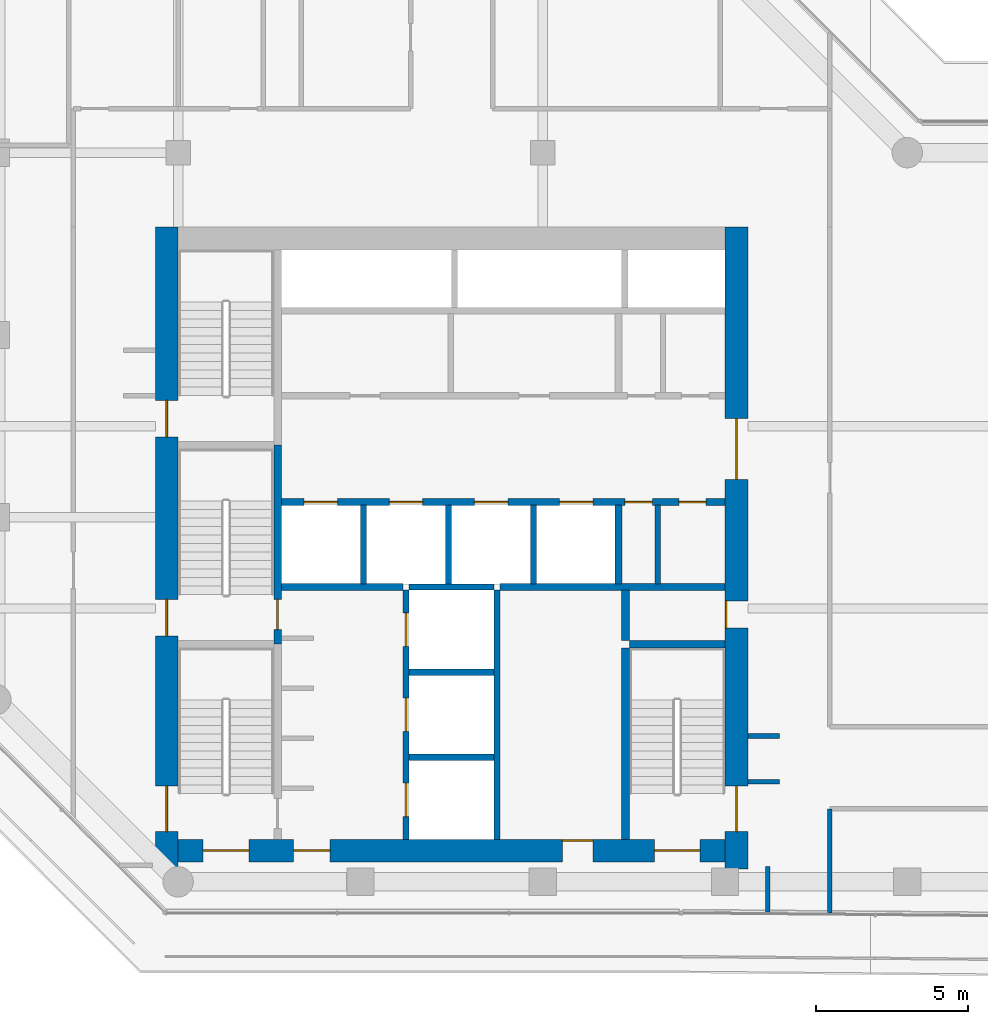
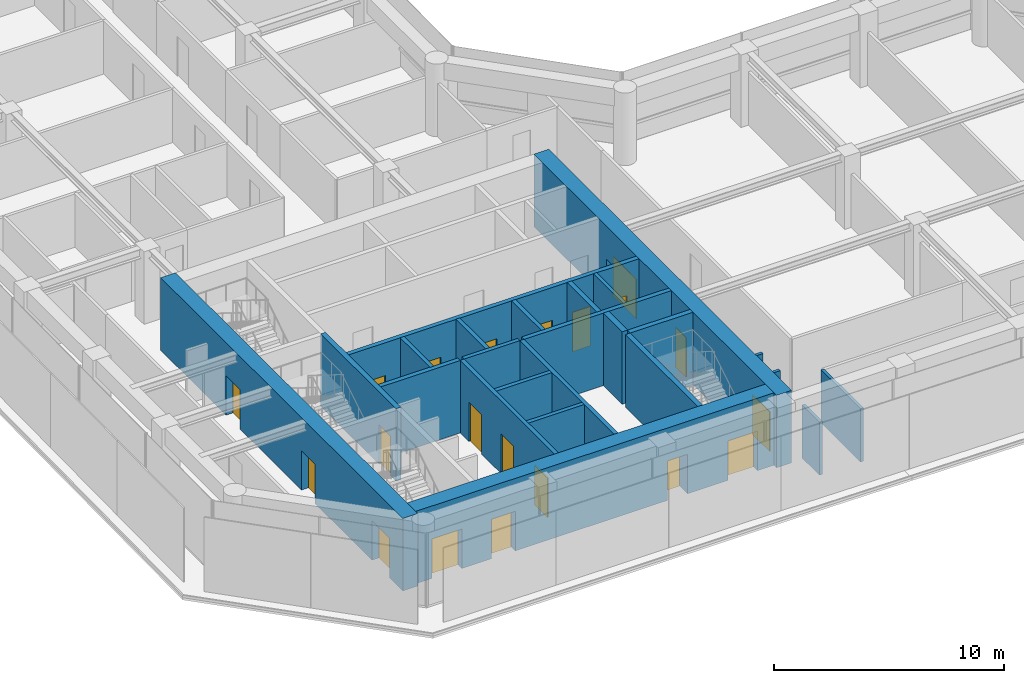
# One storey, part 18 of 23: 24 walls, 20 doors, 20 openings.
"""IFC4 building model written with IfcOpenShell, lengths in metres."""

from ifc_helpers import new_model, si_unit, direction, frame, frame_2d, origin, place, context, subcontext, project, spatial, rectangle, extrude, material, layer, layer_set, type_object, element, fill, save


model = new_model("IFC4")

# Units and contexts
model_context = context("Model", 3, precision=1e-05, world=origin(), true_north=direction((0.0, 1.0)))
body_context = subcontext(model_context, "Body", "Model", "MODEL_VIEW")
ifc_project = project(units=[si_unit("LENGTHUNIT", "METRE"), si_unit("AREAUNIT", "SQUARE_METRE"), si_unit("VOLUMEUNIT", "CUBIC_METRE"), si_unit("PLANEANGLEUNIT", "RADIAN"), si_unit("MASSUNIT", "GRAM", prefix="KILO")], contexts=[model_context])

# Site, building, storey
site_placement = place(None, origin())
site = spatial("IfcSite", under=ifc_project, at=site_placement, CompositionType="ELEMENT")
building_placement = place(site_placement, origin())
building = spatial("IfcBuilding", under=site, at=building_placement, Name="Welwitschia Terrace Campus", CompositionType="ELEMENT")
storey_placement = place(building_placement, frame((0.0, 0.0, 113.0)))
storey = spatial("IfcBuildingStorey", under=building, at=storey_placement, Name="L25", CompositionType="ELEMENT", Elevation=113.0)

# Walls
ifc_material_1 = material(Name="Concrete C32/40", Category="concrete")
ifc_layer_1 = layer(ifc_material_1, 0.175048828125)
ifc_layer_set_1 = layer_set([ifc_layer_1], Name="Concrete C32/40")
wall_type_1 = type_object("IfcWallType", Name="Core partition 175 Concrete C32/40", PredefinedType="PARTITIONING", material=ifc_layer_set_1)
wall_1_placement = place(storey_placement, frame((21.7900390625, 13.800048828125, 0.0), z_axis=(0.0, 0.0, 1.0), x_axis=(0.0, 1.0, 0.0)))
element("IfcWall", 1, at=wall_1_placement, inside=storey, type_object=wall_type_1, Name="Core partition", PredefinedType="PARTITIONING", context=body_context, shape_type="SweptSolid", body=[
    extrude(rectangle(XDim=2.599853515625, YDim=0.175048828125, at=frame_2d((1.2998046875, 0.0))), origin(), (0.0, 0.0, 1.0), 3.85009765625),
])
ifc_material_2 = material(Name="Concrete C32/40", Category="concrete")
ifc_layer_2 = layer(ifc_material_2, 0.22509765625)
ifc_layer_set_2 = layer_set([ifc_layer_2], Name="Concrete C32/40")
wall_type_2 = type_object("IfcWallType", Name="Core partition 225 Concrete C32/40", PredefinedType="PARTITIONING", material=ifc_layer_set_2)
wall_2_placement = place(storey_placement, frame((9.39990234375, 13.699951171875, 0.0), z_axis=(0.0, 0.0, 1.0), x_axis=(1.0, 0.0, 0.0)))
element("IfcWall", 2, at=wall_2_placement, inside=storey, type_object=wall_type_2, Name="Shaft wall", PredefinedType="PARTITIONING", context=body_context, shape_type="SweptSolid", body=[
    extrude(rectangle(XDim=4.0, YDim=0.22509765625, at=frame_2d((2.0, 0.0))), origin(), (0.0, 0.0, 1.0), 3.85009765625),
])
wall_3_placement = place(storey_placement, frame((16.60009765625, 13.699951171875, 0.0), z_axis=(0.0, 0.0, 1.0), x_axis=(1.0, 0.0, 0.0)))
element("IfcWall", 3, at=wall_3_placement, inside=storey, type_object=wall_type_2, Name="Shaft wall", PredefinedType="PARTITIONING", context=body_context, shape_type="SweptSolid", body=[
    extrude(rectangle(XDim=7.39990234375, YDim=0.22509765625, at=frame_2d((3.699951171875, 0.0))), origin(), (0.0, 0.0, 1.0), 3.85009765625),
])

# Wall, openings, doors
wall_4_placement = place(storey_placement, frame((9.39990234375, 16.5, 0.0), z_axis=(0.0, 0.0, 1.0), x_axis=(1.0, 0.0, 0.0)))
wall_4 = element("IfcWall", 4, at=wall_4_placement, inside=storey, type_object=wall_type_2, Name="Shaft wall", PredefinedType="PARTITIONING", context=body_context, shape_type="SweptSolid", body=[
    extrude(rectangle(XDim=14.60009765625, YDim=0.22509765625, at=frame_2d((7.300048828125, 0.0))), origin(), (0.0, 0.0, 1.0), 3.85009765625),
])
opening_1_placement = place(wall_4_placement, frame((0.75, 0.0, 0.0)))
opening_1 = element("IfcOpeningElement", 5, at=opening_1_placement, cuts=wall_4, Name="Opening LD", PredefinedType="OPENING", context=body_context, shape_type="SweptSolid", body=[
    extrude(rectangle(XDim=1.10009765625, YDim=2.10009765625, at=frame_2d((0.550048828125, 1.050048828125))), frame((0.0, 0.12255859375, 0.0), z_axis=(0.0, -1.0, 0.0), x_axis=(1.0, 0.0, 0.0)), (0.0, 0.0, 1.0), 0.2451171875),
])
opening_2_placement = place(wall_4_placement, frame((3.550048828125, 0.0, 0.0)))
opening_2 = element("IfcOpeningElement", 6, at=opening_2_placement, cuts=wall_4, Name="Opening LD", PredefinedType="OPENING", context=body_context, shape_type="SweptSolid", body=[
    extrude(rectangle(XDim=1.10009765625, YDim=2.10009765625, at=frame_2d((0.550048828125, 1.050048828125))), frame((0.0, 0.12255859375, 0.0), z_axis=(0.0, -1.0, 0.0), x_axis=(1.0, 0.0, 0.0)), (0.0, 0.0, 1.0), 0.2451171875),
])
opening_3_placement = place(wall_4_placement, frame((6.35009765625, 0.0, 0.0)))
opening_3 = element("IfcOpeningElement", 7, at=opening_3_placement, cuts=wall_4, Name="Opening LD", PredefinedType="OPENING", context=body_context, shape_type="SweptSolid", body=[
    extrude(rectangle(XDim=1.10009765625, YDim=2.10009765625, at=frame_2d((0.550048828125, 1.050048828125))), frame((0.0, 0.12255859375, 0.0), z_axis=(0.0, -1.0, 0.0), x_axis=(1.0, 0.0, 0.0)), (0.0, 0.0, 1.0), 0.2451171875),
])
opening_4_placement = place(wall_4_placement, frame((9.14990234375, 0.0, 0.0)))
opening_4 = element("IfcOpeningElement", 8, at=opening_4_placement, cuts=wall_4, Name="Opening LD", PredefinedType="OPENING", context=body_context, shape_type="SweptSolid", body=[
    extrude(rectangle(XDim=1.10009765625, YDim=2.10009765625, at=frame_2d((0.550048828125, 1.050048828125))), frame((0.0, 0.12255859375, 0.0), z_axis=(0.0, -1.0, 0.0), x_axis=(1.0, 0.0, 0.0)), (0.0, 0.0, 1.0), 0.2451171875),
])
opening_5_placement = place(wall_4_placement, frame((11.3076171875, 0.0, 0.0)))
opening_5 = element("IfcOpeningElement", 9, at=opening_5_placement, cuts=wall_4, Name="Opening DR09", PredefinedType="OPENING", context=body_context, shape_type="SweptSolid", body=[
    extrude(rectangle(XDim=0.89990234375, YDim=2.10009765625, at=frame_2d((0.449951171875, 1.050048828125))), frame((0.0, 0.12255859375, 0.0), z_axis=(0.0, -1.0, 0.0), x_axis=(1.0, 0.0, 0.0)), (0.0, 0.0, 1.0), 0.2451171875),
])
opening_6_placement = place(wall_4_placement, frame((13.08251953125, 0.0, 0.0)))
opening_6 = element("IfcOpeningElement", 10, at=opening_6_placement, cuts=wall_4, Name="Opening DR09", PredefinedType="OPENING", context=body_context, shape_type="SweptSolid", body=[
    extrude(rectangle(XDim=0.89990234375, YDim=2.10009765625, at=frame_2d((0.449951171875, 1.050048828125))), frame((0.0, 0.12255859375, 0.0), z_axis=(0.0, -1.0, 0.0), x_axis=(1.0, 0.0, 0.0)), (0.0, 0.0, 1.0), 0.2451171875),
])
ifc_material_3 = material(Name="Steel S275", Category="steel")
door_type_1 = type_object("IfcDoorType", Name="Core door DR09", OperationType="SINGLE_SWING_LEFT", PredefinedType="DOOR", material=ifc_material_3)
door_1_placement = place(opening_5_placement, origin())
door_1 = element("IfcDoor", 11, at=door_1_placement, inside=storey, type_object=door_type_1, Name="Door EL1-D", OperationType="SINGLE_SWING_RIGHT", OverallHeight=2.10009765625, OverallWidth=0.89990234375, PredefinedType="DOOR", context=body_context, shape_type="SweptSolid", body=[
    extrude(rectangle(XDim=0.89990234375, YDim=2.10009765625, at=frame_2d((0.449951171875, 1.050048828125))), frame((0.0, 0.02490234375, 0.0), z_axis=(0.0, -1.0, 0.0), x_axis=(1.0, 0.0, 0.0)), (0.0, 0.0, 1.0), 0.050048828125),
])
fill(opening_5, door_1)
door_2_placement = place(opening_6_placement, origin())
door_2 = element("IfcDoor", 12, at=door_2_placement, inside=storey, type_object=door_type_1, Name="Door EL2-D", OperationType="SINGLE_SWING_RIGHT", OverallHeight=2.10009765625, OverallWidth=0.89990234375, PredefinedType="DOOR", context=body_context, shape_type="SweptSolid", body=[
    extrude(rectangle(XDim=0.89990234375, YDim=2.10009765625, at=frame_2d((0.449951171875, 1.050048828125))), frame((0.0, 0.02490234375, 0.0), z_axis=(0.0, -1.0, 0.0), x_axis=(1.0, 0.0, 0.0)), (0.0, 0.0, 1.0), 0.050048828125),
])
fill(opening_6, door_2)
ifc_material_4 = material(Name="Stainless steel 304", Category="steel")
door_type_2 = type_object("IfcDoorType", Name="Lift landing door", OperationType="DOUBLE_DOOR_SLIDING", PredefinedType="DOOR", material=ifc_material_4)
door_3_placement = place(opening_1_placement, origin())
door_3 = element("IfcDoor", 13, at=door_3_placement, inside=storey, type_object=door_type_2, Name="Landing door LR1", OperationType="DOUBLE_DOOR_SLIDING", OverallHeight=2.10009765625, OverallWidth=1.10009765625, PredefinedType="DOOR", context=body_context, shape_type="SweptSolid", body=[
    extrude(rectangle(XDim=1.10009765625, YDim=2.10009765625, at=frame_2d((0.550048828125, 1.050048828125))), frame((0.0, 0.02490234375, 0.0), z_axis=(0.0, -1.0, 0.0), x_axis=(1.0, 0.0, 0.0)), (0.0, 0.0, 1.0), 0.050048828125),
])
fill(opening_1, door_3)
door_4_placement = place(opening_2_placement, origin())
door_4 = element("IfcDoor", 14, at=door_4_placement, inside=storey, type_object=door_type_2, Name="Landing door LR2", OperationType="DOUBLE_DOOR_SLIDING", OverallHeight=2.10009765625, OverallWidth=1.10009765625, PredefinedType="DOOR", context=body_context, shape_type="SweptSolid", body=[
    extrude(rectangle(XDim=1.10009765625, YDim=2.10009765625, at=frame_2d((0.550048828125, 1.050048828125))), frame((0.0, 0.02490234375, 0.0), z_axis=(0.0, -1.0, 0.0), x_axis=(1.0, 0.0, 0.0)), (0.0, 0.0, 1.0), 0.050048828125),
])
fill(opening_2, door_4)
door_5_placement = place(opening_3_placement, origin())
door_5 = element("IfcDoor", 15, at=door_5_placement, inside=storey, type_object=door_type_2, Name="Landing door LR3", OperationType="DOUBLE_DOOR_SLIDING", OverallHeight=2.10009765625, OverallWidth=1.10009765625, PredefinedType="DOOR", context=body_context, shape_type="SweptSolid", body=[
    extrude(rectangle(XDim=1.10009765625, YDim=2.10009765625, at=frame_2d((0.550048828125, 1.050048828125))), frame((0.0, 0.02490234375, 0.0), z_axis=(0.0, -1.0, 0.0), x_axis=(1.0, 0.0, 0.0)), (0.0, 0.0, 1.0), 0.050048828125),
])
fill(opening_3, door_5)
door_6_placement = place(opening_4_placement, origin())
door_6 = element("IfcDoor", 16, at=door_6_placement, inside=storey, type_object=door_type_2, Name="Landing door LR4", OperationType="DOUBLE_DOOR_SLIDING", OverallHeight=2.10009765625, OverallWidth=1.10009765625, PredefinedType="DOOR", context=body_context, shape_type="SweptSolid", body=[
    extrude(rectangle(XDim=1.10009765625, YDim=2.10009765625, at=frame_2d((0.550048828125, 1.050048828125))), frame((0.0, 0.02490234375, 0.0), z_axis=(0.0, -1.0, 0.0), x_axis=(1.0, 0.0, 0.0)), (0.0, 0.0, 1.0), 0.050048828125),
])
fill(opening_4, door_6)

# Walls
wall_5_placement = place(storey_placement, frame((20.5, 13.800048828125, 0.0), z_axis=(0.0, 0.0, 1.0), x_axis=(0.0, 1.0, 0.0)))
element("IfcWall", 17, at=wall_5_placement, inside=storey, type_object=wall_type_2, Name="Shaft wall", PredefinedType="PARTITIONING", context=body_context, shape_type="SweptSolid", body=[
    extrude(rectangle(XDim=2.599853515625, YDim=0.22509765625, at=frame_2d((1.2998046875, 0.0))), origin(), (0.0, 0.0, 1.0), 3.85009765625),
])
ifc_material_5 = material(Name="Concrete C32/40", Category="concrete")
ifc_layer_3 = layer(ifc_material_5, 0.27490234375)
ifc_layer_set_3 = layer_set([ifc_layer_3], Name="Concrete C32/40")
wall_type_3 = type_object("IfcWallType", Name="Core partition 275 Concrete C32/40", PredefinedType="PARTITIONING", material=ifc_layer_set_3)
wall_6_placement = place(storey_placement, frame((20.72509765625, 11.949951171875, 0.0), z_axis=(0.0, 0.0, 1.0), x_axis=(0.0, 1.0, 0.0)))
element("IfcWall", 18, at=wall_6_placement, inside=storey, type_object=wall_type_3, Name="Core partition", PredefinedType="PARTITIONING", context=body_context, shape_type="SweptSolid", body=[
    extrude(rectangle(XDim=1.650146484375, YDim=0.27490234375, at=frame_2d((0.8251953125, 0.0))), origin(), (0.0, 0.0, 1.0), 3.85009765625),
])
ifc_material_6 = material(Name="Concrete C50/60", Category="concrete")
ifc_layer_4 = layer(ifc_material_6, 0.199951171875)
ifc_layer_set_4 = layer_set([ifc_layer_4], Name="Concrete C50/60")
wall_type_4 = type_object("IfcWallType", Name="Core wall 200 Concrete C50/60", PredefinedType="SHEAR", material=ifc_layer_set_4)
for number, where, z_axis, x_axis, name in (
    (19, (13.60009765625, 8.10009765625, 0.0), (0.0, 0.0, 1.0), (1.0, 0.0, 0.0), "Core wall"),
    (20, (13.60009765625, 10.89990234375, 0.0), (0.0, 0.0, 1.0), (1.0, 0.0, 0.0), "Core wall"),
    (21, (13.60009765625, 13.699951171875, 0.0), (0.0, 0.0, 1.0), (1.0, 0.0, 0.0), "Core wall"),
):
    element("IfcWall", number, at=place(storey_placement, frame(where, z_axis=z_axis, x_axis=x_axis)), inside=storey, type_object=wall_type_4, Name=name, PredefinedType="SHEAR", context=body_context, shape_type="SweptSolid", body=[
        extrude(rectangle(XDim=2.7998046875, YDim=0.199951171875, at=frame_2d((1.39990234375, 0.0))), origin(), (0.0, 0.0, 1.0), 3.85009765625),
    ])

# Wall, openings, doors
wall_7_placement = place(storey_placement, frame((13.5, 5.39990234375, 0.0), z_axis=(0.0, 0.0, 1.0), x_axis=(0.0, 1.0, 0.0)))
wall_7 = element("IfcWall", 22, at=wall_7_placement, inside=storey, type_object=wall_type_4, Name="Core wall", PredefinedType="SHEAR", context=body_context, shape_type="SweptSolid", body=[
    extrude(rectangle(XDim=8.2001953125, YDim=0.199951171875, at=frame_2d((4.10009765625, 0.0))), origin(), (0.0, 0.0, 1.0), 3.85009765625),
])
opening_7_placement = place(wall_7_placement, frame((0.75, 0.0, 0.0)))
opening_7 = element("IfcOpeningElement", 23, at=opening_7_placement, cuts=wall_7, Name="Opening LD", PredefinedType="OPENING", context=body_context, shape_type="SweptSolid", body=[
    extrude(rectangle(XDim=1.10009765625, YDim=2.10009765625, at=frame_2d((0.550048828125, 1.050048828125))), frame((0.0, 0.10986328125, 0.0), z_axis=(0.0, -1.0, 0.0), x_axis=(1.0, 0.0, 0.0)), (0.0, 0.0, 1.0), 0.219970703125),
])
opening_8_placement = place(wall_7_placement, frame((3.550048828125, 0.0, 0.0)))
opening_8 = element("IfcOpeningElement", 24, at=opening_8_placement, cuts=wall_7, Name="Opening LD", PredefinedType="OPENING", context=body_context, shape_type="SweptSolid", body=[
    extrude(rectangle(XDim=1.10009765625, YDim=2.10009765625, at=frame_2d((0.550048828125, 1.050048828125))), frame((0.0, 0.10986328125, 0.0), z_axis=(0.0, -1.0, 0.0), x_axis=(1.0, 0.0, 0.0)), (0.0, 0.0, 1.0), 0.219970703125),
])
opening_9_placement = place(wall_7_placement, frame((6.35009765625, 0.0, 0.0)))
opening_9 = element("IfcOpeningElement", 25, at=opening_9_placement, cuts=wall_7, Name="Opening LD", PredefinedType="OPENING", context=body_context, shape_type="SweptSolid", body=[
    extrude(rectangle(XDim=1.10009765625, YDim=2.10009765625, at=frame_2d((0.550048828125, 1.050048828125))), frame((0.0, 0.10986328125, 0.0), z_axis=(0.0, -1.0, 0.0), x_axis=(1.0, 0.0, 0.0)), (0.0, 0.0, 1.0), 0.219970703125),
])
door_7_placement = place(opening_7_placement, origin())
door_7 = element("IfcDoor", 26, at=door_7_placement, inside=storey, type_object=door_type_2, Name="Landing door FF1", OperationType="DOUBLE_DOOR_SLIDING", OverallHeight=2.10009765625, OverallWidth=1.10009765625, PredefinedType="DOOR", context=body_context, shape_type="SweptSolid", body=[
    extrude(rectangle(XDim=1.10009765625, YDim=2.10009765625, at=frame_2d((0.550048828125, 1.050048828125))), frame((0.0, 0.02490234375, 0.0), z_axis=(0.0, -1.0, 0.0), x_axis=(1.0, 0.0, 0.0)), (0.0, 0.0, 1.0), 0.050048828125),
])
fill(opening_7, door_7)
door_8_placement = place(opening_8_placement, origin())
door_8 = element("IfcDoor", 27, at=door_8_placement, inside=storey, type_object=door_type_2, Name="Landing door FF2", OperationType="DOUBLE_DOOR_SLIDING", OverallHeight=2.10009765625, OverallWidth=1.10009765625, PredefinedType="DOOR", context=body_context, shape_type="SweptSolid", body=[
    extrude(rectangle(XDim=1.10009765625, YDim=2.10009765625, at=frame_2d((0.550048828125, 1.050048828125))), frame((0.0, 0.02490234375, 0.0), z_axis=(0.0, -1.0, 0.0), x_axis=(1.0, 0.0, 0.0)), (0.0, 0.0, 1.0), 0.050048828125),
])
fill(opening_8, door_8)
door_9_placement = place(opening_9_placement, origin())
door_9 = element("IfcDoor", 28, at=door_9_placement, inside=storey, type_object=door_type_2, Name="Landing door SV1", OperationType="DOUBLE_DOOR_SLIDING", OverallHeight=2.10009765625, OverallWidth=1.10009765625, PredefinedType="DOOR", context=body_context, shape_type="SweptSolid", body=[
    extrude(rectangle(XDim=1.10009765625, YDim=2.10009765625, at=frame_2d((0.550048828125, 1.050048828125))), frame((0.0, 0.02490234375, 0.0), z_axis=(0.0, -1.0, 0.0), x_axis=(1.0, 0.0, 0.0)), (0.0, 0.0, 1.0), 0.050048828125),
])
fill(opening_9, door_9)

# Walls
wall_8_placement = place(storey_placement, frame((16.5, 5.39990234375, 0.0), z_axis=(0.0, 0.0, 1.0), x_axis=(0.0, 1.0, 0.0)))
element("IfcWall", 29, at=wall_8_placement, inside=storey, type_object=wall_type_4, Name="Core wall", PredefinedType="SHEAR", context=body_context, shape_type="SweptSolid", body=[
    extrude(rectangle(XDim=8.2001953125, YDim=0.199951171875, at=frame_2d((4.10009765625, 0.0))), origin(), (0.0, 0.0, 1.0), 3.85009765625),
])
ifc_material_7 = material(Name="Concrete C50/60", Category="concrete")
ifc_layer_5 = layer(ifc_material_7, 0.25)
ifc_layer_set_5 = layer_set([ifc_layer_5], Name="Concrete C50/60")
wall_type_5 = type_object("IfcWallType", Name="Core wall 250 Concrete C50/60", PredefinedType="SHEAR", material=ifc_layer_set_5)
wall_9_placement = place(storey_placement, frame((20.85009765625, 11.824951171875, 0.0), z_axis=(0.0, 0.0, 1.0), x_axis=(1.0, 0.0, 0.0)))
element("IfcWall", 30, at=wall_9_placement, inside=storey, type_object=wall_type_5, Name="Core wall", PredefinedType="SHEAR", context=body_context, shape_type="SweptSolid", body=[
    extrude(rectangle(XDim=3.14990234375, YDim=0.25, at=frame_2d((1.574951171875, 0.0))), origin(), (0.0, 0.0, 1.0), 3.85009765625),
])

# Wall, opening, door
wall_10_placement = place(storey_placement, frame((9.27490234375, 18.375, 0.0), z_axis=(0.0, 0.0, 1.0), x_axis=(0.0, -1.0, 0.0)))
wall_10 = element("IfcWall", 31, at=wall_10_placement, inside=storey, type_object=wall_type_5, Name="Core wall", PredefinedType="SHEAR", context=body_context, shape_type="SweptSolid", body=[
    extrude(rectangle(XDim=6.550048828125, YDim=0.25, at=frame_2d((3.27490234375, 0.0))), origin(), (0.0, 0.0, 1.0), 3.85009765625),
])
opening_10_placement = place(wall_10_placement, frame((5.074951171875, 0.0, 0.0)))
opening_10 = element("IfcOpeningElement", 32, at=opening_10_placement, cuts=wall_10, Name="Opening DS10", PredefinedType="OPENING", context=body_context, shape_type="SweptSolid", body=[
    extrude(rectangle(XDim=1.0, YDim=2.10009765625, at=frame_2d((0.5, 1.050048828125))), frame((0.0, 0.135009765625, 0.0), z_axis=(0.0, -1.0, 0.0), x_axis=(1.0, 0.0, 0.0)), (0.0, 0.0, 1.0), 0.27001953125),
])
ifc_material_8 = material(Name="Steel S275", Category="steel")
door_type_3 = type_object("IfcDoorType", Name="Core door DS10", OperationType="SINGLE_SWING_LEFT", PredefinedType="DOOR", material=ifc_material_8)
door_10_placement = place(opening_10_placement, origin())
door_10 = element("IfcDoor", 33, at=door_10_placement, inside=storey, type_object=door_type_3, Name="Door S3-FL", OperationType="SINGLE_SWING_RIGHT", OverallHeight=2.10009765625, OverallWidth=1.0, PredefinedType="DOOR", context=body_context, shape_type="SweptSolid", body=[
    extrude(rectangle(XDim=1.0, YDim=2.10009765625, at=frame_2d((0.5, 1.050048828125))), frame((0.0, 0.02490234375, 0.0), z_axis=(0.0, -1.0, 0.0), x_axis=(1.0, 0.0, 0.0)), (0.0, 0.0, 1.0), 0.050048828125),
])
fill(opening_10, door_10)

# Wall
wall_11_placement = place(storey_placement, frame((20.72509765625, 5.39990234375, 0.0), z_axis=(0.0, 0.0, 1.0), x_axis=(0.0, 1.0, 0.0)))
element("IfcWall", 34, at=wall_11_placement, inside=storey, type_object=wall_type_5, Name="Core wall", PredefinedType="SHEAR", context=body_context, shape_type="SweptSolid", body=[
    extrude(rectangle(XDim=6.300048828125, YDim=0.25, at=frame_2d((3.14990234375, 0.0))), origin(), (0.0, 0.0, 1.0), 3.85009765625),
])

# Wall, openings, doors
ifc_material_9 = material(Name="Concrete C70/85", Category="concrete")
ifc_layer_6 = layer(ifc_material_9, 0.75)
ifc_layer_set_6 = layer_set([ifc_layer_6], Name="Concrete C70/85")
wall_type_6 = type_object("IfcWallType", Name="Core wall 750 Concrete C70/85", PredefinedType="SHEAR", material=ifc_layer_set_6)
wall_12_placement = place(storey_placement, frame((5.625, 4.469970703125, 0.0), z_axis=(0.0, 0.0, 1.0), x_axis=(0.0, 1.0, 0.0)))
wall_12 = element("IfcWall", 35, at=wall_12_placement, inside=storey, type_object=wall_type_6, Name="Core outer wall", PredefinedType="SHEAR", context=body_context, shape_type="SweptSolid", body=[
    extrude(rectangle(XDim=21.080078125, YDim=0.75, at=frame_2d((10.5400390625, 0.0))), origin(), (0.0, 0.0, 1.0), 3.85009765625),
])
opening_11_placement = place(wall_12_placement, frame((1.179931640625, 0.0, 0.0)))
opening_11 = element("IfcOpeningElement", 36, at=opening_11_placement, cuts=wall_12, Name="Opening DS15", PredefinedType="OPENING", context=body_context, shape_type="SweptSolid", body=[
    extrude(rectangle(XDim=1.5, YDim=2.10009765625, at=frame_2d((0.75, 1.050048828125))), frame((0.0, 0.385009765625, 0.0), z_axis=(0.0, -1.0, 0.0), x_axis=(1.0, 0.0, 0.0)), (0.0, 0.0, 1.0), 0.77001953125),
])
opening_12_placement = place(wall_12_placement, frame((7.6298828125, 0.0, 0.0)))
opening_12 = element("IfcOpeningElement", 37, at=opening_12_placement, cuts=wall_12, Name="Opening DS12", PredefinedType="OPENING", context=body_context, shape_type="SweptSolid", body=[
    extrude(rectangle(XDim=1.199951171875, YDim=2.10009765625, at=frame_2d((0.60009765625, 1.050048828125))), frame((0.0, 0.385009765625, 0.0), z_axis=(0.0, -1.0, 0.0), x_axis=(1.0, 0.0, 0.0)), (0.0, 0.0, 1.0), 0.77001953125),
])
opening_13_placement = place(wall_12_placement, frame((14.179931640625, 0.0, 0.0)))
opening_13 = element("IfcOpeningElement", 38, at=opening_13_placement, cuts=wall_12, Name="Opening DS12", PredefinedType="OPENING", context=body_context, shape_type="SweptSolid", body=[
    extrude(rectangle(XDim=1.199951171875, YDim=2.10009765625, at=frame_2d((0.60009765625, 1.050048828125))), frame((0.0, 0.385009765625, 0.0), z_axis=(0.0, -1.0, 0.0), x_axis=(1.0, 0.0, 0.0)), (0.0, 0.0, 1.0), 0.77001953125),
])
ifc_material_10 = material(Name="Steel S275", Category="steel")
door_type_4 = type_object("IfcDoorType", Name="Core door DS12", OperationType="SINGLE_SWING_LEFT", PredefinedType="DOOR", material=ifc_material_10)
door_11_placement = place(opening_12_placement, origin())
door_11 = element("IfcDoor", 39, at=door_11_placement, inside=storey, type_object=door_type_4, Name="Door S3-out", OperationType="SINGLE_SWING_LEFT", OverallHeight=2.10009765625, OverallWidth=1.199951171875, PredefinedType="DOOR", context=body_context, shape_type="SweptSolid", body=[
    extrude(rectangle(XDim=1.199951171875, YDim=2.10009765625, at=frame_2d((0.60009765625, 1.050048828125))), frame((0.0, 0.02490234375, 0.0), z_axis=(0.0, -1.0, 0.0), x_axis=(1.0, 0.0, 0.0)), (0.0, 0.0, 1.0), 0.050048828125),
])
fill(opening_12, door_11)
door_12_placement = place(opening_13_placement, origin())
door_12 = element("IfcDoor", 40, at=door_12_placement, inside=storey, type_object=door_type_4, Name="Door S4-out", OperationType="SINGLE_SWING_RIGHT", OverallHeight=2.10009765625, OverallWidth=1.199951171875, PredefinedType="DOOR", context=body_context, shape_type="SweptSolid", body=[
    extrude(rectangle(XDim=1.199951171875, YDim=2.10009765625, at=frame_2d((0.60009765625, 1.050048828125))), frame((0.0, 0.02490234375, 0.0), z_axis=(0.0, -1.0, 0.0), x_axis=(1.0, 0.0, 0.0)), (0.0, 0.0, 1.0), 0.050048828125),
])
fill(opening_13, door_12)
ifc_material_11 = material(Name="Steel S275", Category="steel")
door_type_5 = type_object("IfcDoorType", Name="Core door DS15", OperationType="DOUBLE_DOOR_SINGLE_SWING", PredefinedType="DOOR", material=ifc_material_11)
door_13_placement = place(opening_11_placement, origin())
door_13 = element("IfcDoor", 41, at=door_13_placement, inside=storey, type_object=door_type_5, Name="Door S1-out", OperationType="DOUBLE_DOOR_SINGLE_SWING", OverallHeight=2.10009765625, OverallWidth=1.5, PredefinedType="DOOR", context=body_context, shape_type="SweptSolid", body=[
    extrude(rectangle(XDim=1.5, YDim=2.10009765625, at=frame_2d((0.75, 1.050048828125))), frame((0.0, 0.02490234375, 0.0), z_axis=(0.0, -1.0, 0.0), x_axis=(1.0, 0.0, 0.0)), (0.0, 0.0, 1.0), 0.050048828125),
])
fill(opening_11, door_13)

wall_13_placement = place(storey_placement, frame((24.375, 25.550048828125, 0.0), z_axis=(0.0, 0.0, 1.0), x_axis=(0.0, -1.0, 0.0)))
wall_13 = element("IfcWall", 42, at=wall_13_placement, inside=storey, type_object=wall_type_6, Name="Core outer wall", PredefinedType="SHEAR", context=body_context, shape_type="SweptSolid", body=[
    extrude(rectangle(XDim=21.130126953125, YDim=0.75, at=frame_2d((10.56494140625, 0.0))), origin(), (0.0, 0.0, 1.0), 3.85009765625),
])
opening_14_placement = place(wall_13_placement, frame((18.39990234375, 0.0, 0.0)))
opening_14 = element("IfcOpeningElement", 43, at=opening_14_placement, cuts=wall_13, Name="Opening DS15", PredefinedType="OPENING", context=body_context, shape_type="SweptSolid", body=[
    extrude(rectangle(XDim=1.5, YDim=2.10009765625, at=frame_2d((0.75, 1.050048828125))), frame((0.0, 0.385009765625, 0.0), z_axis=(0.0, -1.0, 0.0), x_axis=(1.0, 0.0, 0.0)), (0.0, 0.0, 1.0), 0.77001953125),
])
opening_15_placement = place(wall_13_placement, frame((12.300048828125, 0.0, 0.0)))
opening_15 = element("IfcOpeningElement", 44, at=opening_15_placement, cuts=wall_13, Name="Opening DR09", PredefinedType="OPENING", context=body_context, shape_type="SweptSolid", body=[
    extrude(rectangle(XDim=0.89990234375, YDim=2.10009765625, at=frame_2d((0.449951171875, 1.050048828125))), frame((0.0, 0.385009765625, 0.0), z_axis=(0.0, -1.0, 0.0), x_axis=(1.0, 0.0, 0.0)), (0.0, 0.0, 1.0), 0.77001953125),
])
opening_16_placement = place(wall_13_placement, frame((6.300048828125, 0.0, 0.0)))
opening_16 = element("IfcOpeningElement", 45, at=opening_16_placement, cuts=wall_13, Name="Opening DL20", PredefinedType="OPENING", context=body_context, shape_type="SweptSolid", body=[
    extrude(rectangle(XDim=2.0, YDim=2.10009765625, at=frame_2d((1.0, 1.050048828125))), frame((0.0, 0.385009765625, 0.0), z_axis=(0.0, -1.0, 0.0), x_axis=(1.0, 0.0, 0.0)), (0.0, 0.0, 1.0), 0.77001953125),
])
ifc_material_12 = material(Name="Steel S275", Category="steel")
door_type_6 = type_object("IfcDoorType", Name="Core door DL20", OperationType="DOUBLE_DOOR_SINGLE_SWING", PredefinedType="DOOR", material=ifc_material_12)
door_14_placement = place(opening_16_placement, origin())
door_14 = element("IfcDoor", 46, at=door_14_placement, inside=storey, type_object=door_type_6, Name="Door LOBBY-out", OperationType="DOUBLE_DOOR_SINGLE_SWING", OverallHeight=2.10009765625, OverallWidth=2.0, PredefinedType="DOOR", context=body_context, shape_type="SweptSolid", body=[
    extrude(rectangle(XDim=2.0, YDim=2.10009765625, at=frame_2d((1.0, 1.050048828125))), frame((0.0, 0.02490234375, 0.0), z_axis=(0.0, -1.0, 0.0), x_axis=(1.0, 0.0, 0.0)), (0.0, 0.0, 1.0), 0.050048828125),
])
fill(opening_16, door_14)
door_15_placement = place(opening_15_placement, origin())
door_15 = element("IfcDoor", 47, at=door_15_placement, inside=storey, type_object=door_type_1, Name="Door F1B-out", OperationType="SINGLE_SWING_RIGHT", OverallHeight=2.10009765625, OverallWidth=0.89990234375, PredefinedType="DOOR", context=body_context, shape_type="SweptSolid", body=[
    extrude(rectangle(XDim=0.89990234375, YDim=2.10009765625, at=frame_2d((0.449951171875, 1.050048828125))), frame((0.0, -0.31494140625, 0.0), z_axis=(0.0, -1.0, 0.0), x_axis=(1.0, 0.0, 0.0)), (0.0, 0.0, 1.0), 0.050048828125),
])
fill(opening_15, door_15)
door_16_placement = place(opening_14_placement, origin())
door_16 = element("IfcDoor", 48, at=door_16_placement, inside=storey, type_object=door_type_5, Name="Door S2-out", OperationType="DOUBLE_DOOR_SINGLE_SWING", OverallHeight=2.10009765625, OverallWidth=1.5, PredefinedType="DOOR", context=body_context, shape_type="SweptSolid", body=[
    extrude(rectangle(XDim=1.5, YDim=2.10009765625, at=frame_2d((0.75, 1.050048828125))), frame((0.0, 0.02490234375, 0.0), z_axis=(0.0, -1.0, 0.0), x_axis=(1.0, 0.0, 0.0)), (0.0, 0.0, 1.0), 0.050048828125),
])
fill(opening_14, door_16)

wall_14_placement = place(storey_placement, frame((24.0, 5.02490234375, 0.0), z_axis=(0.0, 0.0, 1.0), x_axis=(-1.0, 0.0, 0.0)))
wall_14 = element("IfcWall", 49, at=wall_14_placement, inside=storey, type_object=wall_type_6, Name="Core outer wall", PredefinedType="SHEAR", context=body_context, shape_type="SweptSolid", body=[
    extrude(rectangle(XDim=18.0, YDim=0.75, at=frame_2d((9.0, 0.0))), origin(), (0.0, 0.0, 1.0), 3.85009765625),
])
opening_17_placement = place(wall_14_placement, frame((0.824951171875, 0.0, 0.0)))
opening_17 = element("IfcOpeningElement", 50, at=opening_17_placement, cuts=wall_14, Name="Opening DS15", PredefinedType="OPENING", context=body_context, shape_type="SweptSolid", body=[
    extrude(rectangle(XDim=1.5, YDim=2.10009765625, at=frame_2d((0.75, 1.050048828125))), frame((0.0, 0.385009765625, 0.0), z_axis=(0.0, -1.0, 0.0), x_axis=(1.0, 0.0, 0.0)), (0.0, 0.0, 1.0), 0.77001953125),
])
opening_18_placement = place(wall_14_placement, frame((15.675048828125, 0.0, 0.0)))
opening_18 = element("IfcOpeningElement", 51, at=opening_18_placement, cuts=wall_14, Name="Opening DS15", PredefinedType="OPENING", context=body_context, shape_type="SweptSolid", body=[
    extrude(rectangle(XDim=1.5, YDim=2.10009765625, at=frame_2d((0.75, 1.050048828125))), frame((0.0, 0.385009765625, 0.0), z_axis=(0.0, -1.0, 0.0), x_axis=(1.0, 0.0, 0.0)), (0.0, 0.0, 1.0), 0.77001953125),
])
opening_19_placement = place(wall_14_placement, frame((13.0, 0.0, 0.0)))
opening_19 = element("IfcOpeningElement", 52, at=opening_19_placement, cuts=wall_14, Name="Opening DF12", PredefinedType="OPENING", context=body_context, shape_type="SweptSolid", body=[
    extrude(rectangle(XDim=1.199951171875, YDim=2.10009765625, at=frame_2d((0.60009765625, 1.050048828125))), frame((0.0, 0.385009765625, 0.0), z_axis=(0.0, -1.0, 0.0), x_axis=(1.0, 0.0, 0.0)), (0.0, 0.0, 1.0), 0.77001953125),
])
opening_20_placement = place(wall_14_placement, frame((4.35009765625, 0.0, 0.0)))
opening_20 = element("IfcOpeningElement", 53, at=opening_20_placement, cuts=wall_14, Name="Opening DR10", PredefinedType="OPENING", context=body_context, shape_type="SweptSolid", body=[
    extrude(rectangle(XDim=1.0, YDim=2.10009765625, at=frame_2d((0.5, 1.050048828125))), frame((0.0, 0.385009765625, 0.0), z_axis=(0.0, -1.0, 0.0), x_axis=(1.0, 0.0, 0.0)), (0.0, 0.0, 1.0), 0.77001953125),
])
ifc_material_13 = material(Name="Steel S275", Category="steel")
door_type_7 = type_object("IfcDoorType", Name="Core door DF12", OperationType="SINGLE_SWING_LEFT", PredefinedType="DOOR", material=ifc_material_13)
door_17_placement = place(opening_19_placement, origin())
door_17 = element("IfcDoor", 54, at=door_17_placement, inside=storey, type_object=door_type_7, Name="Door FL-out", OperationType="SINGLE_SWING_RIGHT", OverallHeight=2.10009765625, OverallWidth=1.199951171875, PredefinedType="DOOR", context=body_context, shape_type="SweptSolid", body=[
    extrude(rectangle(XDim=1.199951171875, YDim=2.10009765625, at=frame_2d((0.60009765625, 1.050048828125))), frame((0.0, 0.02490234375, 0.0), z_axis=(0.0, -1.0, 0.0), x_axis=(1.0, 0.0, 0.0)), (0.0, 0.0, 1.0), 0.050048828125),
])
fill(opening_19, door_17)
ifc_material_14 = material(Name="Steel S275", Category="steel")
door_type_8 = type_object("IfcDoorType", Name="Core door DR10", OperationType="SINGLE_SWING_LEFT", PredefinedType="DOOR", material=ifc_material_14)
door_18_placement = place(opening_20_placement, origin())
door_18 = element("IfcDoor", 55, at=door_18_placement, inside=storey, type_object=door_type_8, Name="Door F1-out", OperationType="SINGLE_SWING_LEFT", OverallHeight=2.10009765625, OverallWidth=1.0, PredefinedType="DOOR", context=body_context, shape_type="SweptSolid", body=[
    extrude(rectangle(XDim=1.0, YDim=2.10009765625, at=frame_2d((0.5, 1.050048828125))), frame((0.0, -0.31494140625, 0.0), z_axis=(0.0, -1.0, 0.0), x_axis=(1.0, 0.0, 0.0)), (0.0, 0.0, 1.0), 0.050048828125),
])
fill(opening_20, door_18)
door_19_placement = place(opening_17_placement, origin())
door_19 = element("IfcDoor", 56, at=door_19_placement, inside=storey, type_object=door_type_5, Name="Door S2-outS", OperationType="DOUBLE_DOOR_SINGLE_SWING", OverallHeight=2.10009765625, OverallWidth=1.5, PredefinedType="DOOR", context=body_context, shape_type="SweptSolid", body=[
    extrude(rectangle(XDim=1.5, YDim=2.10009765625, at=frame_2d((0.75, 1.050048828125))), frame((0.0, 0.02490234375, 0.0), z_axis=(0.0, -1.0, 0.0), x_axis=(1.0, 0.0, 0.0)), (0.0, 0.0, 1.0), 0.050048828125),
])
fill(opening_17, door_19)
door_20_placement = place(opening_18_placement, origin())
door_20 = element("IfcDoor", 57, at=door_20_placement, inside=storey, type_object=door_type_5, Name="Door S1-outS", OperationType="DOUBLE_DOOR_SINGLE_SWING", OverallHeight=2.10009765625, OverallWidth=1.5, PredefinedType="DOOR", context=body_context, shape_type="SweptSolid", body=[
    extrude(rectangle(XDim=1.5, YDim=2.10009765625, at=frame_2d((0.75, 1.050048828125))), frame((0.0, 0.02490234375, 0.0), z_axis=(0.0, -1.0, 0.0), x_axis=(1.0, 0.0, 0.0)), (0.0, 0.0, 1.0), 0.050048828125),
])
fill(opening_18, door_20)

# Walls
ifc_material_15 = material(Name="Gypsum board on steel studs", Category="steel")
ifc_layer_7 = layer(ifc_material_15, 0.14990234375)
ifc_layer_set_7 = layer_set([ifc_layer_7], Name="Gypsum board on steel studs")
wall_type_7 = type_object("IfcWallType", Name="Corridor partition 150 EI 30", PredefinedType="PARTITIONING", material=ifc_layer_set_7)
for number, where, z_axis, x_axis, name in (
    (58, (24.75, 7.300048828125, 0.0), (0.0, 0.0, 1.0), (1.0, 0.0, 0.0), "Partition"),
    (59, (24.75, 8.800048828125, 0.0), (0.0, 0.0, 1.0), (1.0, 0.0, 0.0), "Partition"),
):
    element("IfcWall", number, at=place(storey_placement, frame(where, z_axis=z_axis, x_axis=x_axis)), inside=storey, type_object=wall_type_7, Name=name, PredefinedType="PARTITIONING", context=body_context, shape_type="SweptSolid", body=[
        extrude(rectangle(XDim=1.050048828125, YDim=0.14990234375, at=frame_2d((0.52490234375, 0.0))), origin(), (0.0, 0.0, 1.0), 2.830078125),
    ])
wall_15_placement = place(storey_placement, frame((25.39990234375, 3.0, 0.0), z_axis=(0.0, 0.0, 1.0), x_axis=(0.0, 1.0, 0.0)))
element("IfcWall", 60, at=wall_15_placement, inside=storey, type_object=wall_type_7, Name="Partition", PredefinedType="PARTITIONING", context=body_context, shape_type="SweptSolid", body=[
    extrude(rectangle(XDim=1.5, YDim=0.14990234375, at=frame_2d((0.75, 0.0))), origin(), (0.0, 0.0, 1.0), 2.830078125),
])
wall_16_placement = place(storey_placement, frame((27.449951171875, 2.97998046875, 0.0), z_axis=(0.0, 0.0, 1.0), x_axis=(0.0, 1.0, 0.0)))
element("IfcWall", 61, at=wall_16_placement, inside=storey, type_object=wall_type_7, Name="Partition", PredefinedType="PARTITIONING", context=body_context, shape_type="SweptSolid", body=[
    extrude(rectangle(XDim=3.419921875, YDim=0.14990234375, at=frame_2d((1.7099609375, 0.0))), origin(), (0.0, 0.0, 1.0), 2.830078125),
])
ifc_material_16 = material(Name="Concrete C32/40", Category="concrete")
ifc_layer_8 = layer(ifc_material_16, 0.199951171875)
ifc_layer_set_8 = layer_set([ifc_layer_8], Name="Concrete C32/40")
wall_type_8 = type_object("IfcWallType", Name="Shaft wall 200 Concrete C32/40", PredefinedType="SOLIDWALL", material=ifc_layer_set_8)
for number, where, z_axis, x_axis, name in (
    (62, (12.10009765625, 13.800048828125, 0.0), (0.0, 0.0, 1.0), (0.0, 1.0, 0.0), "Shaft wall"),
    (63, (14.89990234375, 13.800048828125, 0.0), (0.0, 0.0, 1.0), (0.0, 1.0, 0.0), "Shaft wall"),
    (64, (17.699951171875, 13.800048828125, 0.0), (0.0, 0.0, 1.0), (0.0, 1.0, 0.0), "Shaft wall"),
):
    element("IfcWall", number, at=place(storey_placement, frame(where, z_axis=z_axis, x_axis=x_axis)), inside=storey, type_object=wall_type_8, Name=name, PredefinedType="SOLIDWALL", context=body_context, shape_type="SweptSolid", body=[
        extrude(rectangle(XDim=2.599853515625, YDim=0.199951171875, at=frame_2d((1.2998046875, 0.0))), origin(), (0.0, 0.0, 1.0), 3.85009765625),
    ])

save(model, "model.ifc")
